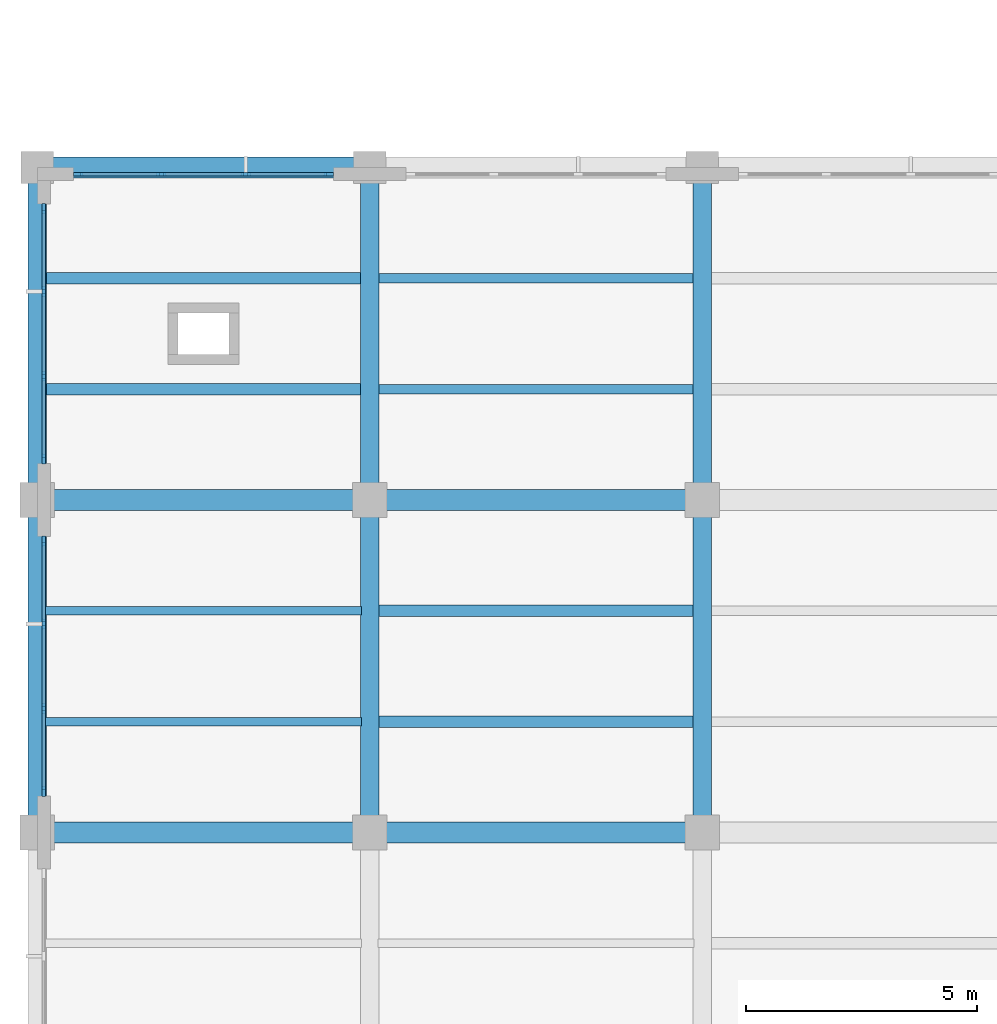
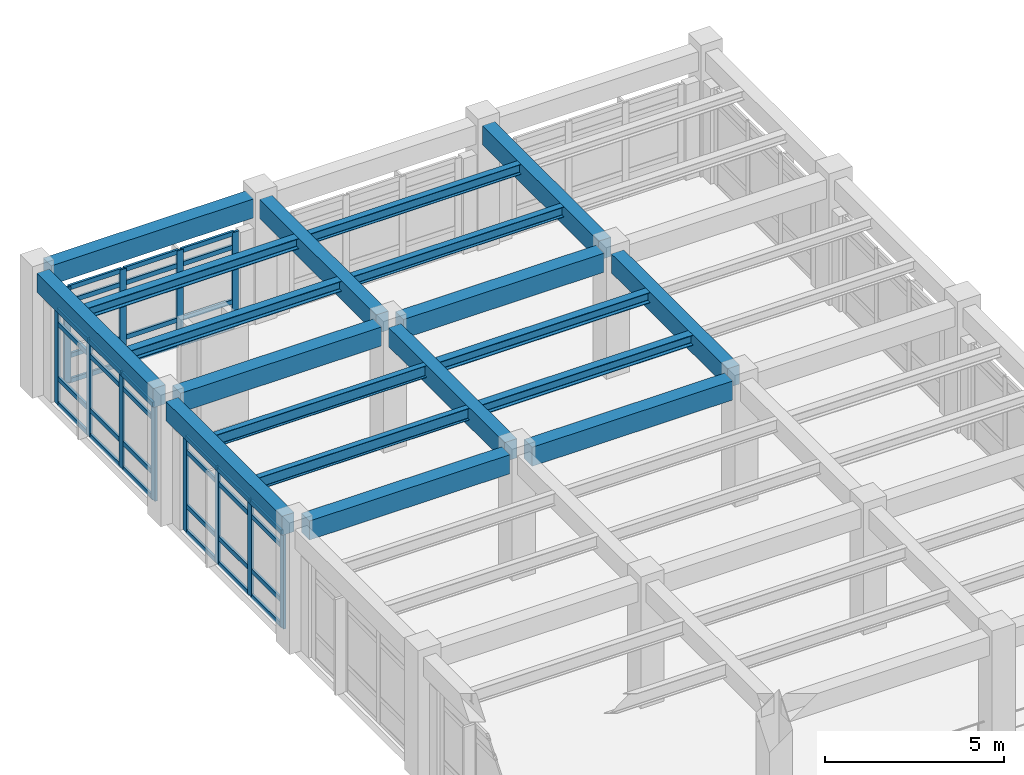
# One storey, part 19 of 64: 48 members, 19 beams, 3 elements without a shape of their own.
"""IFC4 building model written with IfcOpenShell, lengths in metres."""

import ifcopenshell
import ifcopenshell.guid

model = None  # the IFC model being written
_history = None  # IfcOwnerHistory: only IFC2X3 demands one
_inside = {}  # id of a spatial element -> (the spatial element, [elements in it])
_under = {}  # id of a project, library or spatial element -> (it, [spatial elements below it])
_declared = {}  # id of a project -> (the project, [libraries it declares])
_typed = {}  # id of a type object -> (the type object, [elements of that type])
_made_of = {}  # id of a material, layer set ... -> (it, [elements and type objects made of it])


def new_model(schema):
    """Start an empty IFC model of exactly this schema.

    Asked for "IFC4X3", IfcOpenShell would pick the latest addendum, in which some entities
    have other attributes; the version numbers below select the first issue.
    IFC2X3 requires an IfcOwnerHistory on every rooted entity: one is made here for all.
    """
    global model, _history
    if schema == "IFC4X3":
        model = ifcopenshell.file(schema_version=(4, 3, 0, 0))
    else:
        model = ifcopenshell.file(schema=schema)
    _inside.clear()
    _under.clear()
    _declared.clear()
    _typed.clear()
    _made_of.clear()
    _history = None
    if model.schema == "IFC2X3":
        org = make("IfcOrganization", Name="unknown")
        user = make(
            "IfcPersonAndOrganization",
            ThePerson=make("IfcPerson", FamilyName="unknown"),
            TheOrganization=org,
        )
        app = make(
            "IfcApplication",
            ApplicationDeveloper=org,
            Version="unknown",
            ApplicationFullName="unknown",
            ApplicationIdentifier="unknown",
        )
        _history = make(
            "IfcOwnerHistory",
            OwningUser=user,
            OwningApplication=app,
            ChangeAction="ADDED",
            CreationDate=0,
        )
    return model


def make(cls, **values):
    """One entity of the class cls with the attributes given. An attribute that is None is left unset."""
    return model.create_entity(
        cls, **{name: value for name, value in values.items() if value is not None}
    )


def rooted(cls, **values):
    """An entity with a GlobalId (a new one), such as an element, a storey or a relation."""
    return make(cls, GlobalId=ifcopenshell.guid.new(), OwnerHistory=_history, **values)


def si_unit(unit_type, name, prefix=None):
    """IfcSIUnit, for example si_unit("LENGTHUNIT", "METRE", prefix="MILLI")."""
    return make("IfcSIUnit", UnitType=unit_type, Prefix=prefix, Name=name)


def assignment(units):
    """IfcUnitAssignment: the units of a project."""
    return None if units is None else make("IfcUnitAssignment", Units=units)


def point(xyz):
    """IfcCartesianPoint."""
    return None if xyz is None else make("IfcCartesianPoint", Coordinates=xyz)


def direction(xyz):
    """IfcDirection."""
    return None if xyz is None else make("IfcDirection", DirectionRatios=xyz)


def frame(location, z_axis=None, x_axis=None):
    """IfcAxis2Placement3D, a coordinate frame: its origin and axes. An axis left out is left unset."""
    return make(
        "IfcAxis2Placement3D",
        Location=point(location),
        Axis=direction(z_axis),
        RefDirection=direction(x_axis),
    )


def frame_2d(location, x_axis=None):
    """IfcAxis2Placement2D, a coordinate frame in the plane: its origin and x axis."""
    return make(
        "IfcAxis2Placement2D", Location=point(location), RefDirection=direction(x_axis)
    )


def origin():
    """The frame at (0, 0, 0) with its axes left unset."""
    return frame((0.0, 0.0, 0.0))


def origin_2d():
    """The frame at (0, 0) in the plane with its x axis left unset."""
    return frame_2d((0.0, 0.0))


def place(relative_to, where):
    """IfcLocalPlacement: puts the frame where relative to a parent placement (None: the world)."""
    return make(
        "IfcLocalPlacement", PlacementRelTo=relative_to, RelativePlacement=where
    )


def context(
    kind, dimensions, precision=None, world=None, true_north=None, identifier=None
):
    """IfcGeometricRepresentationContext, for example the 3D "Model" context."""
    return make(
        "IfcGeometricRepresentationContext",
        ContextIdentifier=identifier,
        ContextType=kind,
        CoordinateSpaceDimension=dimensions,
        Precision=precision,
        WorldCoordinateSystem=world,
        TrueNorth=true_north,
    )


def subcontext(parent, identifier, kind, view, scale=None):
    """IfcGeometricRepresentationSubContext, for example "Body" below "Model"."""
    return make(
        "IfcGeometricRepresentationSubContext",
        ContextIdentifier=identifier,
        ContextType=kind,
        ParentContext=parent,
        TargetScale=scale,
        TargetView=view,
    )


def project(units=None, contexts=None):
    """IfcProject with its units and contexts."""
    return rooted(
        "IfcProject",
        Name="project",
        RepresentationContexts=contexts,
        UnitsInContext=assignment(units),
    )


def spatial(cls, under=None, at=None, **own):
    """A site, building, storey or space (cls), placed at a placement, below another one or the project."""
    s = rooted(cls, ObjectPlacement=at, **own)
    if under is not None:
        _under.setdefault(under.id(), (under, []))[1].append(s)
    return s


def profile(cls, at=None, kind="AREA", **sizes):
    """A parametric profile (cls). Its sizes go by their IFC names, for example OverallWidth=200.0."""
    return make(cls, ProfileType=kind, Position=at, **sizes)


def rectangle(**sizes):
    """IfcRectangleProfileDef."""
    return profile("IfcRectangleProfileDef", **sizes)


def i_section(**sizes):
    """IfcIShapeProfileDef."""
    return profile("IfcIShapeProfileDef", **sizes)


def extrude(swept, where, along, depth):
    """IfcExtrudedAreaSolid: the profile swept, set in the frame where, extruded along a direction by depth."""
    return make(
        "IfcExtrudedAreaSolid",
        SweptArea=swept,
        Position=where,
        ExtrudedDirection=direction(along),
        Depth=depth,
    )


def shape(context_of_items, identifier, shape_type, items):
    """IfcShapeRepresentation: the items that make up one representation, for example the "Body"."""
    return make(
        "IfcShapeRepresentation",
        ContextOfItems=context_of_items,
        RepresentationIdentifier=identifier,
        RepresentationType=shape_type,
        Items=items,
    )


def material(Name=None, Category=None):
    """IfcMaterial."""
    return make("IfcMaterial", Name=Name, Category=Category)


def layer(
    of_material, thickness, ventilated=None, Name=None, Category=None, Priority=None
):
    """IfcMaterialLayer: one layer of a wall or slab, of a material (None: an air gap)."""
    return make(
        "IfcMaterialLayer",
        Material=of_material,
        LayerThickness=thickness,
        IsVentilated=ventilated,
        Name=Name,
        Category=Category,
        Priority=Priority,
    )


def layer_set(layers, Name=None):
    """IfcMaterialLayerSet."""
    return make("IfcMaterialLayerSet", MaterialLayers=layers, LayerSetName=Name)


def material_profile(
    of_material, cross_section, Name=None, Category=None, Priority=None
):
    """IfcMaterialProfile: a cross section and its material."""
    return make(
        "IfcMaterialProfile",
        Name=Name,
        Material=of_material,
        Profile=cross_section,
        Priority=Priority,
        Category=Category,
    )


def profile_set(profiles, Name=None, composite=None):
    """IfcMaterialProfileSet."""
    return make(
        "IfcMaterialProfileSet",
        Name=Name,
        MaterialProfiles=profiles,
        CompositeProfile=composite,
    )


def made_of(thing, what):
    """Note that an element or type object is made of a material, layer set ...; save() writes the relation."""
    if what is not None:
        _made_of.setdefault(what.id(), (what, []))[1].append(thing)
    return thing


def type_object(cls, material=None, **own):
    """A type object (cls), such as IfcWallType, which elements share."""
    return made_of(rooted(cls, **own), material)


def element(
    cls,
    number,
    at=None,
    inside=None,
    cuts=None,
    type_object=None,
    material=None,
    context=None,
    identifier="Body",
    shape_type=None,
    held_by="IfcProductDefinitionShape",
    body=None,
    shapes=None,
    **own,
):
    """One element of the class cls, such as IfcWall. Its Tag is "e" and its number.

    at: its placement. inside: the storey or other place that contains it. cuts: it is an
    opening in that element (IfcRelVoidsElement). A single representation is given by context,
    identifier, shape_type and body (its items); several are given by shapes. held_by: the class
    of the entity that holds the representations. save() writes the other relations.
    """
    e = rooted(cls, Tag="e%d" % number, ObjectPlacement=at, **own)
    if body is not None:
        shapes = [shape(context, identifier, shape_type, body)]
    if shapes is not None:
        e.Representation = make(held_by, Representations=shapes)
    if inside is not None:
        _inside.setdefault(inside.id(), (inside, []))[1].append(e)
    if cuts is not None:
        rooted(
            "IfcRelVoidsElement", RelatingBuildingElement=cuts, RelatedOpeningElement=e
        )
    if type_object is not None:
        _typed.setdefault(type_object.id(), (type_object, []))[1].append(e)
    return made_of(e, material)


def aggregate(whole, parts):
    """IfcRelAggregates: a whole, such as a stair, and the parts it consists of."""
    return rooted("IfcRelAggregates", RelatingObject=whole, RelatedObjects=parts)


def save(model, path):
    """Write the relations noted so far, then the file.

    IfcRelAggregates (storeys below a building ...), IfcRelContainedInSpatialStructure (elements
    in a storey), IfcRelDefinesByType, IfcRelAssociatesMaterial and IfcRelDeclares: one each for
    every whole, place, type object, material and project.
    """
    for whole, parts in _under.values():
        aggregate(whole, parts)
    for where, things in _inside.values():
        rooted(
            "IfcRelContainedInSpatialStructure",
            RelatedElements=things,
            RelatingStructure=where,
        )
    for kind, things in _typed.values():
        rooted("IfcRelDefinesByType", RelatedObjects=things, RelatingType=kind)
    for what, things in _made_of.values():
        rooted("IfcRelAssociatesMaterial", RelatedObjects=things, RelatingMaterial=what)
    for by, libraries in _declared.values():
        rooted("IfcRelDeclares", RelatingContext=by, RelatedDefinitions=libraries)
    model.write(path)


model = new_model("IFC4")

# Units and contexts
model_context = context("Model", 3, precision=1e-05, world=origin(), true_north=direction((0.0, 1.0)))
body_context = subcontext(model_context, "Body", "Model", "MODEL_VIEW")
ifc_project = project(units=[si_unit("LENGTHUNIT", "METRE"), si_unit("AREAUNIT", "SQUARE_METRE"), si_unit("VOLUMEUNIT", "CUBIC_METRE"), si_unit("PLANEANGLEUNIT", "RADIAN"), si_unit("MASSUNIT", "GRAM", prefix="KILO")], contexts=[model_context])

# Site, building, storey
site_placement = place(None, origin())
site = spatial("IfcSite", under=ifc_project, at=site_placement, CompositionType="ELEMENT")
building_placement = place(site_placement, origin())
building = spatial("IfcBuilding", under=site, at=building_placement, Name="Solenvale Faculty of Natural Sciences", CompositionType="ELEMENT")
storey_placement = place(building_placement, frame((0.0, 0.0, 18.0)))
storey = spatial("IfcBuildingStorey", under=building, at=storey_placement, Name="L04", CompositionType="ELEMENT", Elevation=18.0)

# Beams
ifc_material_1 = material(Name="Concrete 40 MPa", Category="concrete")
ifc_material_profile_1 = material_profile(ifc_material_1, rectangle(XDim=0.39990234375, YDim=0.64990234375, at=origin_2d()), Name="RC-BM-400x650")
ifc_profile_set_1 = profile_set([ifc_material_profile_1], Name="Concrete 40 MPa")
beam_type_1 = type_object("IfcBeamType", Name="BM-RC-400x650", PredefinedType="BEAM", material=ifc_profile_set_1)
beam_1_placement = place(storey_placement, frame((36.0, 79.554931640625, 3.89501953125), z_axis=(0.0, 1.0, 0.0), x_axis=(-1.0, 0.0, 0.0)))
element("IfcBeam", 1, at=beam_1_placement, inside=storey, type_object=beam_type_1, Name="L04 Y-Girder X36.0 (79.2..86.4)", PredefinedType="BEAM", context=body_context, shape_type="SweptSolid", body=[
    extrude(rectangle(XDim=0.39990234375, YDim=0.64990234375, at=origin_2d()), origin(), (0.0, 0.0, 1.0), 6.489990234375),
])
beam_2_placement = place(storey_placement, frame((36.0, 86.7548828125, 3.89501953125), z_axis=(0.0, 1.0, 0.0), x_axis=(-1.0, 0.0, 0.0)))
element("IfcBeam", 2, at=beam_2_placement, inside=storey, type_object=beam_type_1, Name="L04 Y-Girder X36.0 (86.4..93.6)", PredefinedType="BEAM", context=body_context, shape_type="SweptSolid", body=[
    extrude(rectangle(XDim=0.39990234375, YDim=0.64990234375, at=origin_2d()), origin(), (0.0, 0.0, 1.0), 6.51513671875),
])
beam_3_placement = place(storey_placement, frame((43.199951171875, 79.554931640625, 3.89501953125), z_axis=(0.0, 1.0, 0.0), x_axis=(-1.0, 0.0, 0.0)))
element("IfcBeam", 3, at=beam_3_placement, inside=storey, type_object=beam_type_1, Name="L04 Y-Girder X43.2 (79.2..86.4)", PredefinedType="BEAM", context=body_context, shape_type="SweptSolid", body=[
    extrude(rectangle(XDim=0.39990234375, YDim=0.64990234375, at=origin_2d()), origin(), (0.0, 0.0, 1.0), 6.489990234375),
])
beam_4_placement = place(storey_placement, frame((43.199951171875, 86.7548828125, 3.89501953125), z_axis=(0.0, 1.0, 0.0), x_axis=(-1.0, 0.0, 0.0)))
element("IfcBeam", 4, at=beam_4_placement, inside=storey, type_object=beam_type_1, Name="L04 Y-Girder X43.2 (86.4..93.6)", PredefinedType="BEAM", context=body_context, shape_type="SweptSolid", body=[
    extrude(rectangle(XDim=0.39990234375, YDim=0.64990234375, at=origin_2d()), origin(), (0.0, 0.0, 1.0), 6.51513671875),
])
beam_5_placement = place(storey_placement, frame((50.39990234375, 79.554931640625, 3.89501953125), z_axis=(0.0, 1.0, 0.0), x_axis=(-1.0, 0.0, 0.0)))
element("IfcBeam", 5, at=beam_5_placement, inside=storey, type_object=beam_type_1, Name="L04 Y-Girder X50.4 (79.2..86.4)", PredefinedType="BEAM", context=body_context, shape_type="SweptSolid", body=[
    extrude(rectangle(XDim=0.39990234375, YDim=0.64990234375, at=origin_2d()), origin(), (0.0, 0.0, 1.0), 6.489990234375),
])
beam_6_placement = place(storey_placement, frame((50.39990234375, 86.7548828125, 3.89501953125), z_axis=(0.0, 1.0, 0.0), x_axis=(-1.0, 0.0, 0.0)))
element("IfcBeam", 6, at=beam_6_placement, inside=storey, type_object=beam_type_1, Name="L04 Y-Girder X50.4 (86.4..93.6)", PredefinedType="BEAM", context=body_context, shape_type="SweptSolid", body=[
    extrude(rectangle(XDim=0.39990234375, YDim=0.64990234375, at=origin_2d()), origin(), (0.0, 0.0, 1.0), 6.51513671875),
])
ifc_material_profile_2 = material_profile(ifc_material_1, rectangle(XDim=0.449951171875, YDim=0.64990234375, at=origin_2d()), Name="RC-BM-450x650")
ifc_profile_set_2 = profile_set([ifc_material_profile_2], Name="Concrete 40 MPa")
beam_type_2 = type_object("IfcBeamType", Name="BM-RC-450x650", PredefinedType="BEAM", material=ifc_profile_set_2)
for number, where, z_axis, x_axis, name in (
    (7, (36.35498046875, 79.199951171875, 3.89501953125), (1.0, 0.0, 0.0), (0.0, 1.0, 0.0), "L04 X-Girder Y79.2 (36.0..43.2)"),
    (8, (43.554931640625, 79.199951171875, 3.89501953125), (1.0, 0.0, 0.0), (0.0, 1.0, 0.0), "L04 X-Girder Y79.2 (43.2..50.4)"),
    (9, (36.35498046875, 86.39990234375, 3.89501953125), (1.0, 0.0, 0.0), (0.0, 1.0, 0.0), "L04 X-Girder Y86.4 (36.0..43.2)"),
    (10, (43.554931640625, 86.39990234375, 3.89501953125), (1.0, 0.0, 0.0), (0.0, 1.0, 0.0), "L04 X-Girder Y86.4 (43.2..50.4)"),
):
    element("IfcBeam", number, at=place(storey_placement, frame(where, z_axis=z_axis, x_axis=x_axis)), inside=storey, type_object=beam_type_2, Name=name, PredefinedType="BEAM", context=body_context, shape_type="SweptSolid", body=[
        extrude(rectangle(XDim=0.449951171875, YDim=0.64990234375, at=origin_2d()), origin(), (0.0, 0.0, 1.0), 6.489990234375),
    ])
beam_7_placement = place(storey_placement, frame((36.330078125, 93.60009765625, 3.89501953125), z_axis=(1.0, 0.0, 0.0), x_axis=(0.0, 1.0, 0.0)))
element("IfcBeam", 11, at=beam_7_placement, inside=storey, type_object=beam_type_2, Name="L04 X-Girder Y93.6 (36.0..43.2)", PredefinedType="BEAM", context=body_context, shape_type="SweptSolid", body=[
    extrude(rectangle(XDim=0.449951171875, YDim=0.64990234375, at=origin_2d()), origin(), (0.0, 0.0, 1.0), 6.5400390625),
])
ifc_material_2 = material(Name="Steel S355", Category="steel")
ifc_material_profile_3 = material_profile(ifc_material_2, i_section(OverallWidth=0.2548828125, OverallDepth=0.35693359375, WebThickness=0.010498046875, FlangeThickness=0.018310546875, FilletRadius=0.014892578125, at=origin_2d()), Name="W360x101")
ifc_profile_set_3 = profile_set([ifc_material_profile_3], Name="Steel S355")
beam_type_3 = type_object("IfcBeamType", Name="BM-STL-W360x101", PredefinedType="JOIST", material=ifc_profile_set_3)
for number, where, z_axis, x_axis, name in (
    (12, (36.179931640625, 88.800048828125, 4.04150390625), (1.0, 0.0, 0.0), (0.0, 1.0, 0.0), "L04 Composite Floor Joist (6,13).1"),
    (13, (36.179931640625, 91.199951171875, 4.04150390625), (1.0, 0.0, 0.0), (0.0, 1.0, 0.0), "L04 Composite Floor Joist (6,13).2"),
    (14, (43.3798828125, 81.60009765625, 4.04150390625), (1.0, 0.0, 0.0), (0.0, 1.0, 0.0), "L04 Composite Floor Joist (7,12).1"),
    (15, (43.3798828125, 84.0, 4.04150390625), (1.0, 0.0, 0.0), (0.0, 1.0, 0.0), "L04 Composite Floor Joist (7,12).2"),
):
    element("IfcBeam", number, at=place(storey_placement, frame(where, z_axis=z_axis, x_axis=x_axis)), inside=storey, type_object=beam_type_3, Name=name, PredefinedType="JOIST", context=body_context, shape_type="SweptSolid", body=[
        extrude(i_section(OverallWidth=0.2548828125, OverallDepth=0.35693359375, WebThickness=0.010498046875, FlangeThickness=0.018310546875, FilletRadius=0.014892578125, at=origin_2d()), origin(), (0.0, 0.0, 1.0), 6.840087890625),
    ])
ifc_material_profile_4 = material_profile(ifc_material_2, i_section(OverallWidth=0.2041015625, OverallDepth=0.35009765625, WebThickness=0.008544921875, FlangeThickness=0.01513671875, FilletRadius=0.014892578125, at=origin_2d()), Name="W360x72")
ifc_profile_set_4 = profile_set([ifc_material_profile_4], Name="Steel S355")
beam_type_4 = type_object("IfcBeamType", Name="BM-STL-W360x72", PredefinedType="JOIST", material=ifc_profile_set_4)
for number, where, z_axis, x_axis, name in (
    (16, (43.3798828125, 88.800048828125, 4.044921875), (1.0, 0.0, 0.0), (0.0, 1.0, 0.0), "L04 Composite Floor Joist (7,13).1"),
    (17, (43.3798828125, 91.199951171875, 4.044921875), (1.0, 0.0, 0.0), (0.0, 1.0, 0.0), "L04 Composite Floor Joist (7,13).2"),
):
    element("IfcBeam", number, at=place(storey_placement, frame(where, z_axis=z_axis, x_axis=x_axis)), inside=storey, type_object=beam_type_4, Name=name, PredefinedType="JOIST", context=body_context, shape_type="SweptSolid", body=[
        extrude(i_section(OverallWidth=0.2041015625, OverallDepth=0.35009765625, WebThickness=0.008544921875, FlangeThickness=0.01513671875, FilletRadius=0.014892578125, at=origin_2d()), origin(), (0.0, 0.0, 1.0), 6.840087890625),
    ])
ifc_material_profile_5 = material_profile(ifc_material_2, i_section(OverallWidth=0.178955078125, OverallDepth=0.409912109375, WebThickness=0.0087890625, FlangeThickness=0.014404296875, FilletRadius=0.01611328125, at=origin_2d()), Name="W410x67")
ifc_profile_set_5 = profile_set([ifc_material_profile_5], Name="Steel S355")
beam_type_5 = type_object("IfcBeamType", Name="BM-STL-W410x67", PredefinedType="JOIST", material=ifc_profile_set_5)
for number, where, z_axis, x_axis, name in (
    (18, (36.179931640625, 81.60009765625, 4.014892578125), (1.0, 0.0, 0.0), (0.0, 1.0, 0.0), "L04 Composite Floor Joist (6,12).1"),
    (19, (36.179931640625, 84.0, 4.014892578125), (1.0, 0.0, 0.0), (0.0, 1.0, 0.0), "L04 Composite Floor Joist (6,12).2"),
):
    element("IfcBeam", number, at=place(storey_placement, frame(where, z_axis=z_axis, x_axis=x_axis)), inside=storey, type_object=beam_type_5, Name=name, PredefinedType="JOIST", context=body_context, shape_type="SweptSolid", body=[
        extrude(i_section(OverallWidth=0.178955078125, OverallDepth=0.409912109375, WebThickness=0.0087890625, FlangeThickness=0.014404296875, FilletRadius=0.01611328125, at=origin_2d()), origin(), (0.0, 0.0, 1.0), 6.840087890625),
    ])

# Curtain wall, members
ifc_material_3 = material(Name="Anodised bronze aluminium", Category="aluminium")
ifc_layer = layer(ifc_material_3, 0.215087890625)
ifc_layer_set = layer_set([ifc_layer], Name="Anodised bronze aluminium")
curtain_wall_type = type_object("IfcCurtainWallType", Name="CW-ATR-UNIT", PredefinedType="USERDEFINED", material=ifc_layer_set)
curtain_wall_1_placement = place(storey_placement, origin())
curtain_wall_1 = element("IfcCurtainWall", 20, at=curtain_wall_1_placement, inside=storey, type_object=curtain_wall_type, Name="L04 Curtain Wall CW-L04-P1-E2-B3", ObjectType="UNITISED CURTAIN WALL", PredefinedType="USERDEFINED")
ifc_material_profile_6 = material_profile(ifc_material_3, rectangle(XDim=0.074951171875, YDim=0.2099609375, at=origin_2d()), Name="ALU-MUL-75x210")
ifc_profile_set_6 = profile_set([ifc_material_profile_6], Name="Anodised bronze aluminium")
member_type_1 = type_object("IfcMemberType", Name="CWM-ALU-75x210", PredefinedType="MULLION", material=ifc_profile_set_6)
member_1_placement = place(storey_placement, frame((42.3125, 93.45751953125, 0.0), z_axis=(0.0, 0.0, 1.0), x_axis=(0.0, -1.0, 0.0)))
member_1 = element("IfcMember", 21, at=member_1_placement, type_object=member_type_1, Name="CW-01 mullion 1", PredefinedType="MULLION", context=body_context, shape_type="SweptSolid", body=[
    extrude(rectangle(XDim=0.074951171875, YDim=0.2099609375, at=origin_2d()), origin(), (0.0, 0.0, 1.0), 3.260009765625),
])
member_2_placement = place(storey_placement, frame((40.5166015625, 93.45751953125, 0.0), z_axis=(0.0, 0.0, 1.0), x_axis=(0.0, -1.0, 0.0)))
member_2 = element("IfcMember", 22, at=member_2_placement, type_object=member_type_1, Name="CW-01 mullion 2", PredefinedType="MULLION", context=body_context, shape_type="SweptSolid", body=[
    extrude(rectangle(XDim=0.074951171875, YDim=0.2099609375, at=origin_2d()), origin(), (0.0, 0.0, 1.0), 3.260009765625),
])
member_3_placement = place(storey_placement, frame((38.683349609375, 93.45751953125, 0.0), z_axis=(0.0, 0.0, 1.0), x_axis=(0.0, -1.0, 0.0)))
member_3 = element("IfcMember", 23, at=member_3_placement, type_object=member_type_1, Name="CW-01 mullion 3", PredefinedType="MULLION", context=body_context, shape_type="SweptSolid", body=[
    extrude(rectangle(XDim=0.074951171875, YDim=0.2099609375, at=origin_2d()), origin(), (0.0, 0.0, 1.0), 3.260009765625),
])
member_4_placement = place(storey_placement, frame((36.887451171875, 93.45751953125, 0.0), z_axis=(0.0, 0.0, 1.0), x_axis=(0.0, -1.0, 0.0)))
member_4 = element("IfcMember", 24, at=member_4_placement, type_object=member_type_1, Name="CW-01 mullion 4", PredefinedType="MULLION", context=body_context, shape_type="SweptSolid", body=[
    extrude(rectangle(XDim=0.074951171875, YDim=0.2099609375, at=origin_2d()), origin(), (0.0, 0.0, 1.0), 3.260009765625),
])

curtain_wall_2_placement = place(storey_placement, origin())
curtain_wall_2 = element("IfcCurtainWall", 25, at=curtain_wall_2_placement, inside=storey, type_object=curtain_wall_type, Name="L04 Curtain Wall CW-L04-P1-E3-B1", ObjectType="UNITISED CURTAIN WALL", PredefinedType="USERDEFINED")
member_5_placement = place(storey_placement, frame((36.142578125, 92.71240234375, 0.0), z_axis=(0.0, 0.0, 1.0), x_axis=(1.0, 0.0, 0.0)))
member_5 = element("IfcMember", 26, at=member_5_placement, type_object=member_type_1, Name="CW-01 mullion 1", PredefinedType="MULLION", context=body_context, shape_type="SweptSolid", body=[
    extrude(rectangle(XDim=0.074951171875, YDim=0.2099609375, at=origin_2d()), origin(), (0.0, 0.0, 1.0), 3.260009765625),
])
member_6_placement = place(storey_placement, frame((36.142578125, 90.916748046875, 0.0), z_axis=(0.0, 0.0, 1.0), x_axis=(1.0, 0.0, 0.0)))
member_6 = element("IfcMember", 27, at=member_6_placement, type_object=member_type_1, Name="CW-01 mullion 2", PredefinedType="MULLION", context=body_context, shape_type="SweptSolid", body=[
    extrude(rectangle(XDim=0.074951171875, YDim=0.2099609375, at=origin_2d()), origin(), (0.0, 0.0, 1.0), 3.260009765625),
])
member_7_placement = place(storey_placement, frame((36.142578125, 89.083251953125, 0.0), z_axis=(0.0, 0.0, 1.0), x_axis=(1.0, 0.0, 0.0)))
member_7 = element("IfcMember", 28, at=member_7_placement, type_object=member_type_1, Name="CW-01 mullion 3", PredefinedType="MULLION", context=body_context, shape_type="SweptSolid", body=[
    extrude(rectangle(XDim=0.074951171875, YDim=0.2099609375, at=origin_2d()), origin(), (0.0, 0.0, 1.0), 3.260009765625),
])
member_8_placement = place(storey_placement, frame((36.142578125, 87.28759765625, 0.0), z_axis=(0.0, 0.0, 1.0), x_axis=(1.0, 0.0, 0.0)))
member_8 = element("IfcMember", 29, at=member_8_placement, type_object=member_type_1, Name="CW-01 mullion 4", PredefinedType="MULLION", context=body_context, shape_type="SweptSolid", body=[
    extrude(rectangle(XDim=0.074951171875, YDim=0.2099609375, at=origin_2d()), origin(), (0.0, 0.0, 1.0), 3.260009765625),
])

curtain_wall_3_placement = place(storey_placement, origin())
curtain_wall_3 = element("IfcCurtainWall", 30, at=curtain_wall_3_placement, inside=storey, type_object=curtain_wall_type, Name="L04 Curtain Wall CW-L04-P1-E3-B2", ObjectType="UNITISED CURTAIN WALL", PredefinedType="USERDEFINED")
member_9_placement = place(storey_placement, frame((36.142578125, 85.512451171875, 0.0), z_axis=(0.0, 0.0, 1.0), x_axis=(1.0, 0.0, 0.0)))
member_9 = element("IfcMember", 31, at=member_9_placement, type_object=member_type_1, Name="CW-01 mullion 1", PredefinedType="MULLION", context=body_context, shape_type="SweptSolid", body=[
    extrude(rectangle(XDim=0.074951171875, YDim=0.2099609375, at=origin_2d()), origin(), (0.0, 0.0, 1.0), 3.260009765625),
])
member_10_placement = place(storey_placement, frame((36.142578125, 83.716552734375, 0.0), z_axis=(0.0, 0.0, 1.0), x_axis=(1.0, 0.0, 0.0)))
member_10 = element("IfcMember", 32, at=member_10_placement, type_object=member_type_1, Name="CW-01 mullion 2", PredefinedType="MULLION", context=body_context, shape_type="SweptSolid", body=[
    extrude(rectangle(XDim=0.074951171875, YDim=0.2099609375, at=origin_2d()), origin(), (0.0, 0.0, 1.0), 3.260009765625),
])
member_11_placement = place(storey_placement, frame((36.142578125, 81.88330078125, 0.0), z_axis=(0.0, 0.0, 1.0), x_axis=(1.0, 0.0, 0.0)))
member_11 = element("IfcMember", 33, at=member_11_placement, type_object=member_type_1, Name="CW-01 mullion 3", PredefinedType="MULLION", context=body_context, shape_type="SweptSolid", body=[
    extrude(rectangle(XDim=0.074951171875, YDim=0.2099609375, at=origin_2d()), origin(), (0.0, 0.0, 1.0), 3.260009765625),
])
member_12_placement = place(storey_placement, frame((36.142578125, 80.08740234375, 0.0), z_axis=(0.0, 0.0, 1.0), x_axis=(1.0, 0.0, 0.0)))
member_12 = element("IfcMember", 34, at=member_12_placement, type_object=member_type_1, Name="CW-01 mullion 4", PredefinedType="MULLION", context=body_context, shape_type="SweptSolid", body=[
    extrude(rectangle(XDim=0.074951171875, YDim=0.2099609375, at=origin_2d()), origin(), (0.0, 0.0, 1.0), 3.260009765625),
])

# Member
ifc_material_profile_7 = material_profile(ifc_material_3, rectangle(XDim=0.074951171875, YDim=0.155029296875, at=origin_2d()), Name="ALU-TRN-75x155")
ifc_profile_set_7 = profile_set([ifc_material_profile_7], Name="Anodised bronze aluminium")
member_type_2 = type_object("IfcMemberType", Name="CWT-ALU-75x155", PredefinedType="USERDEFINED", material=ifc_profile_set_7)
member_13_placement = place(storey_placement, frame((42.27490234375, 93.45751953125, 0.03759765625), z_axis=(-1.0, 0.0, 0.0), x_axis=(0.0, -1.0, 0.0)))
member_13 = element("IfcMember", 35, at=member_13_placement, type_object=member_type_2, Name="CW-01 transom 1.1", ObjectType="TRANSOM", PredefinedType="USERDEFINED", context=body_context, shape_type="SweptSolid", body=[
    extrude(rectangle(XDim=0.074951171875, YDim=0.155029296875, at=origin_2d()), origin(), (0.0, 0.0, 1.0), 1.720703125),
])

member_14_placement = place(storey_placement, frame((42.27490234375, 93.45751953125, 0.89990234375), z_axis=(-1.0, 0.0, 0.0), x_axis=(0.0, -1.0, 0.0)))
member_14 = element("IfcMember", 36, at=member_14_placement, type_object=member_type_2, Name="CW-01 transom 1.2", ObjectType="TRANSOM", PredefinedType="USERDEFINED", context=body_context, shape_type="SweptSolid", body=[
    extrude(rectangle(XDim=0.074951171875, YDim=0.155029296875, at=origin_2d()), origin(), (0.0, 0.0, 1.0), 1.720703125),
])

member_15_placement = place(storey_placement, frame((42.27490234375, 93.45751953125, 2.760009765625), z_axis=(-1.0, 0.0, 0.0), x_axis=(0.0, -1.0, 0.0)))
member_15 = element("IfcMember", 37, at=member_15_placement, type_object=member_type_2, Name="CW-01 transom 1.3", ObjectType="TRANSOM", PredefinedType="USERDEFINED", context=body_context, shape_type="SweptSolid", body=[
    extrude(rectangle(XDim=0.074951171875, YDim=0.155029296875, at=origin_2d()), origin(), (0.0, 0.0, 1.0), 1.720703125),
])

member_16_placement = place(storey_placement, frame((42.27490234375, 93.45751953125, 3.222412109375), z_axis=(-1.0, 0.0, 0.0), x_axis=(0.0, -1.0, 0.0)))
member_16 = element("IfcMember", 38, at=member_16_placement, type_object=member_type_2, Name="CW-01 transom 1.4", ObjectType="TRANSOM", PredefinedType="USERDEFINED", context=body_context, shape_type="SweptSolid", body=[
    extrude(rectangle(XDim=0.074951171875, YDim=0.155029296875, at=origin_2d()), origin(), (0.0, 0.0, 1.0), 1.720703125),
])

member_17_placement = place(storey_placement, frame((40.479248046875, 93.45751953125, 0.03759765625), z_axis=(-1.0, 0.0, 0.0), x_axis=(0.0, -1.0, 0.0)))
member_17 = element("IfcMember", 39, at=member_17_placement, type_object=member_type_2, Name="CW-01 transom 2.1", ObjectType="TRANSOM", PredefinedType="USERDEFINED", context=body_context, shape_type="SweptSolid", body=[
    extrude(rectangle(XDim=0.074951171875, YDim=0.155029296875, at=origin_2d()), origin(), (0.0, 0.0, 1.0), 1.75830078125),
])

member_18_placement = place(storey_placement, frame((40.479248046875, 93.45751953125, 0.89990234375), z_axis=(-1.0, 0.0, 0.0), x_axis=(0.0, -1.0, 0.0)))
member_18 = element("IfcMember", 40, at=member_18_placement, type_object=member_type_2, Name="CW-01 transom 2.2", ObjectType="TRANSOM", PredefinedType="USERDEFINED", context=body_context, shape_type="SweptSolid", body=[
    extrude(rectangle(XDim=0.074951171875, YDim=0.155029296875, at=origin_2d()), origin(), (0.0, 0.0, 1.0), 1.75830078125),
])

member_19_placement = place(storey_placement, frame((40.479248046875, 93.45751953125, 2.760009765625), z_axis=(-1.0, 0.0, 0.0), x_axis=(0.0, -1.0, 0.0)))
member_19 = element("IfcMember", 41, at=member_19_placement, type_object=member_type_2, Name="CW-01 transom 2.3", ObjectType="TRANSOM", PredefinedType="USERDEFINED", context=body_context, shape_type="SweptSolid", body=[
    extrude(rectangle(XDim=0.074951171875, YDim=0.155029296875, at=origin_2d()), origin(), (0.0, 0.0, 1.0), 1.75830078125),
])

member_20_placement = place(storey_placement, frame((40.479248046875, 93.45751953125, 3.222412109375), z_axis=(-1.0, 0.0, 0.0), x_axis=(0.0, -1.0, 0.0)))
member_20 = element("IfcMember", 42, at=member_20_placement, type_object=member_type_2, Name="CW-01 transom 2.4", ObjectType="TRANSOM", PredefinedType="USERDEFINED", context=body_context, shape_type="SweptSolid", body=[
    extrude(rectangle(XDim=0.074951171875, YDim=0.155029296875, at=origin_2d()), origin(), (0.0, 0.0, 1.0), 1.75830078125),
])

member_21_placement = place(storey_placement, frame((38.645751953125, 93.45751953125, 0.03759765625), z_axis=(-1.0, 0.0, 0.0), x_axis=(0.0, -1.0, 0.0)))
member_21 = element("IfcMember", 43, at=member_21_placement, type_object=member_type_2, Name="CW-01 transom 3.1", ObjectType="TRANSOM", PredefinedType="USERDEFINED", context=body_context, shape_type="SweptSolid", body=[
    extrude(rectangle(XDim=0.074951171875, YDim=0.155029296875, at=origin_2d()), origin(), (0.0, 0.0, 1.0), 1.720703125),
])

member_22_placement = place(storey_placement, frame((38.645751953125, 93.45751953125, 0.89990234375), z_axis=(-1.0, 0.0, 0.0), x_axis=(0.0, -1.0, 0.0)))
member_22 = element("IfcMember", 44, at=member_22_placement, type_object=member_type_2, Name="CW-01 transom 3.2", ObjectType="TRANSOM", PredefinedType="USERDEFINED", context=body_context, shape_type="SweptSolid", body=[
    extrude(rectangle(XDim=0.074951171875, YDim=0.155029296875, at=origin_2d()), origin(), (0.0, 0.0, 1.0), 1.720703125),
])

member_23_placement = place(storey_placement, frame((38.645751953125, 93.45751953125, 2.760009765625), z_axis=(-1.0, 0.0, 0.0), x_axis=(0.0, -1.0, 0.0)))
member_23 = element("IfcMember", 45, at=member_23_placement, type_object=member_type_2, Name="CW-01 transom 3.3", ObjectType="TRANSOM", PredefinedType="USERDEFINED", context=body_context, shape_type="SweptSolid", body=[
    extrude(rectangle(XDim=0.074951171875, YDim=0.155029296875, at=origin_2d()), origin(), (0.0, 0.0, 1.0), 1.720703125),
])

member_24_placement = place(storey_placement, frame((38.645751953125, 93.45751953125, 3.222412109375), z_axis=(-1.0, 0.0, 0.0), x_axis=(0.0, -1.0, 0.0)))
member_24 = element("IfcMember", 46, at=member_24_placement, type_object=member_type_2, Name="CW-01 transom 3.4", ObjectType="TRANSOM", PredefinedType="USERDEFINED", context=body_context, shape_type="SweptSolid", body=[
    extrude(rectangle(XDim=0.074951171875, YDim=0.155029296875, at=origin_2d()), origin(), (0.0, 0.0, 1.0), 1.720703125),
])

aggregate(curtain_wall_1, [member_1, member_2, member_3, member_4, member_13, member_14, member_15, member_16, member_17, member_18, member_19, member_20, member_21, member_22, member_23, member_24])

member_25_placement = place(storey_placement, frame((36.142578125, 92.675048828125, 0.03759765625), z_axis=(0.0, -1.0, 0.0), x_axis=(1.0, 0.0, 0.0)))
member_25 = element("IfcMember", 47, at=member_25_placement, type_object=member_type_2, Name="CW-01 transom 1.1", ObjectType="TRANSOM", PredefinedType="USERDEFINED", context=body_context, shape_type="SweptSolid", body=[
    extrude(rectangle(XDim=0.074951171875, YDim=0.155029296875, at=origin_2d()), origin(), (0.0, 0.0, 1.0), 1.720947265625),
])

member_26_placement = place(storey_placement, frame((36.142578125, 92.675048828125, 0.89990234375), z_axis=(0.0, -1.0, 0.0), x_axis=(1.0, 0.0, 0.0)))
member_26 = element("IfcMember", 48, at=member_26_placement, type_object=member_type_2, Name="CW-01 transom 1.2", ObjectType="TRANSOM", PredefinedType="USERDEFINED", context=body_context, shape_type="SweptSolid", body=[
    extrude(rectangle(XDim=0.074951171875, YDim=0.155029296875, at=origin_2d()), origin(), (0.0, 0.0, 1.0), 1.720947265625),
])

member_27_placement = place(storey_placement, frame((36.142578125, 92.675048828125, 2.760009765625), z_axis=(0.0, -1.0, 0.0), x_axis=(1.0, 0.0, 0.0)))
member_27 = element("IfcMember", 49, at=member_27_placement, type_object=member_type_2, Name="CW-01 transom 1.3", ObjectType="TRANSOM", PredefinedType="USERDEFINED", context=body_context, shape_type="SweptSolid", body=[
    extrude(rectangle(XDim=0.074951171875, YDim=0.155029296875, at=origin_2d()), origin(), (0.0, 0.0, 1.0), 1.720947265625),
])

member_28_placement = place(storey_placement, frame((36.142578125, 92.675048828125, 3.222412109375), z_axis=(0.0, -1.0, 0.0), x_axis=(1.0, 0.0, 0.0)))
member_28 = element("IfcMember", 50, at=member_28_placement, type_object=member_type_2, Name="CW-01 transom 1.4", ObjectType="TRANSOM", PredefinedType="USERDEFINED", context=body_context, shape_type="SweptSolid", body=[
    extrude(rectangle(XDim=0.074951171875, YDim=0.155029296875, at=origin_2d()), origin(), (0.0, 0.0, 1.0), 1.720947265625),
])

member_29_placement = place(storey_placement, frame((36.142578125, 90.879150390625, 0.03759765625), z_axis=(0.0, -1.0, 0.0), x_axis=(1.0, 0.0, 0.0)))
member_29 = element("IfcMember", 51, at=member_29_placement, type_object=member_type_2, Name="CW-01 transom 2.1", ObjectType="TRANSOM", PredefinedType="USERDEFINED", context=body_context, shape_type="SweptSolid", body=[
    extrude(rectangle(XDim=0.074951171875, YDim=0.155029296875, at=origin_2d()), origin(), (0.0, 0.0, 1.0), 1.75830078125),
])

member_30_placement = place(storey_placement, frame((36.142578125, 90.879150390625, 0.89990234375), z_axis=(0.0, -1.0, 0.0), x_axis=(1.0, 0.0, 0.0)))
member_30 = element("IfcMember", 52, at=member_30_placement, type_object=member_type_2, Name="CW-01 transom 2.2", ObjectType="TRANSOM", PredefinedType="USERDEFINED", context=body_context, shape_type="SweptSolid", body=[
    extrude(rectangle(XDim=0.074951171875, YDim=0.155029296875, at=origin_2d()), origin(), (0.0, 0.0, 1.0), 1.75830078125),
])

member_31_placement = place(storey_placement, frame((36.142578125, 90.879150390625, 2.760009765625), z_axis=(0.0, -1.0, 0.0), x_axis=(1.0, 0.0, 0.0)))
member_31 = element("IfcMember", 53, at=member_31_placement, type_object=member_type_2, Name="CW-01 transom 2.3", ObjectType="TRANSOM", PredefinedType="USERDEFINED", context=body_context, shape_type="SweptSolid", body=[
    extrude(rectangle(XDim=0.074951171875, YDim=0.155029296875, at=origin_2d()), origin(), (0.0, 0.0, 1.0), 1.75830078125),
])

member_32_placement = place(storey_placement, frame((36.142578125, 90.879150390625, 3.222412109375), z_axis=(0.0, -1.0, 0.0), x_axis=(1.0, 0.0, 0.0)))
member_32 = element("IfcMember", 54, at=member_32_placement, type_object=member_type_2, Name="CW-01 transom 2.4", ObjectType="TRANSOM", PredefinedType="USERDEFINED", context=body_context, shape_type="SweptSolid", body=[
    extrude(rectangle(XDim=0.074951171875, YDim=0.155029296875, at=origin_2d()), origin(), (0.0, 0.0, 1.0), 1.75830078125),
])

member_33_placement = place(storey_placement, frame((36.142578125, 89.0458984375, 0.03759765625), z_axis=(0.0, -1.0, 0.0), x_axis=(1.0, 0.0, 0.0)))
member_33 = element("IfcMember", 55, at=member_33_placement, type_object=member_type_2, Name="CW-01 transom 3.1", ObjectType="TRANSOM", PredefinedType="USERDEFINED", context=body_context, shape_type="SweptSolid", body=[
    extrude(rectangle(XDim=0.074951171875, YDim=0.155029296875, at=origin_2d()), origin(), (0.0, 0.0, 1.0), 1.720947265625),
])

member_34_placement = place(storey_placement, frame((36.142578125, 89.0458984375, 0.89990234375), z_axis=(0.0, -1.0, 0.0), x_axis=(1.0, 0.0, 0.0)))
member_34 = element("IfcMember", 56, at=member_34_placement, type_object=member_type_2, Name="CW-01 transom 3.2", ObjectType="TRANSOM", PredefinedType="USERDEFINED", context=body_context, shape_type="SweptSolid", body=[
    extrude(rectangle(XDim=0.074951171875, YDim=0.155029296875, at=origin_2d()), origin(), (0.0, 0.0, 1.0), 1.720947265625),
])

member_35_placement = place(storey_placement, frame((36.142578125, 89.0458984375, 2.760009765625), z_axis=(0.0, -1.0, 0.0), x_axis=(1.0, 0.0, 0.0)))
member_35 = element("IfcMember", 57, at=member_35_placement, type_object=member_type_2, Name="CW-01 transom 3.3", ObjectType="TRANSOM", PredefinedType="USERDEFINED", context=body_context, shape_type="SweptSolid", body=[
    extrude(rectangle(XDim=0.074951171875, YDim=0.155029296875, at=origin_2d()), origin(), (0.0, 0.0, 1.0), 1.720947265625),
])

member_36_placement = place(storey_placement, frame((36.142578125, 89.0458984375, 3.222412109375), z_axis=(0.0, -1.0, 0.0), x_axis=(1.0, 0.0, 0.0)))
member_36 = element("IfcMember", 58, at=member_36_placement, type_object=member_type_2, Name="CW-01 transom 3.4", ObjectType="TRANSOM", PredefinedType="USERDEFINED", context=body_context, shape_type="SweptSolid", body=[
    extrude(rectangle(XDim=0.074951171875, YDim=0.155029296875, at=origin_2d()), origin(), (0.0, 0.0, 1.0), 1.720947265625),
])

aggregate(curtain_wall_2, [member_5, member_6, member_7, member_8, member_25, member_26, member_27, member_28, member_29, member_30, member_31, member_32, member_33, member_34, member_35, member_36])

member_37_placement = place(storey_placement, frame((36.142578125, 85.47509765625, 0.03759765625), z_axis=(0.0, -1.0, 0.0), x_axis=(1.0, 0.0, 0.0)))
member_37 = element("IfcMember", 59, at=member_37_placement, type_object=member_type_2, Name="CW-01 transom 1.1", ObjectType="TRANSOM", PredefinedType="USERDEFINED", context=body_context, shape_type="SweptSolid", body=[
    extrude(rectangle(XDim=0.074951171875, YDim=0.155029296875, at=origin_2d()), origin(), (0.0, 0.0, 1.0), 1.720947265625),
])

member_38_placement = place(storey_placement, frame((36.142578125, 85.47509765625, 0.89990234375), z_axis=(0.0, -1.0, 0.0), x_axis=(1.0, 0.0, 0.0)))
member_38 = element("IfcMember", 60, at=member_38_placement, type_object=member_type_2, Name="CW-01 transom 1.2", ObjectType="TRANSOM", PredefinedType="USERDEFINED", context=body_context, shape_type="SweptSolid", body=[
    extrude(rectangle(XDim=0.074951171875, YDim=0.155029296875, at=origin_2d()), origin(), (0.0, 0.0, 1.0), 1.720947265625),
])

member_39_placement = place(storey_placement, frame((36.142578125, 85.47509765625, 2.760009765625), z_axis=(0.0, -1.0, 0.0), x_axis=(1.0, 0.0, 0.0)))
member_39 = element("IfcMember", 61, at=member_39_placement, type_object=member_type_2, Name="CW-01 transom 1.3", ObjectType="TRANSOM", PredefinedType="USERDEFINED", context=body_context, shape_type="SweptSolid", body=[
    extrude(rectangle(XDim=0.074951171875, YDim=0.155029296875, at=origin_2d()), origin(), (0.0, 0.0, 1.0), 1.720947265625),
])

member_40_placement = place(storey_placement, frame((36.142578125, 85.47509765625, 3.222412109375), z_axis=(0.0, -1.0, 0.0), x_axis=(1.0, 0.0, 0.0)))
member_40 = element("IfcMember", 62, at=member_40_placement, type_object=member_type_2, Name="CW-01 transom 1.4", ObjectType="TRANSOM", PredefinedType="USERDEFINED", context=body_context, shape_type="SweptSolid", body=[
    extrude(rectangle(XDim=0.074951171875, YDim=0.155029296875, at=origin_2d()), origin(), (0.0, 0.0, 1.0), 1.720947265625),
])

member_41_placement = place(storey_placement, frame((36.142578125, 83.67919921875, 0.03759765625), z_axis=(0.0, -1.0, 0.0), x_axis=(1.0, 0.0, 0.0)))
member_41 = element("IfcMember", 63, at=member_41_placement, type_object=member_type_2, Name="CW-01 transom 2.1", ObjectType="TRANSOM", PredefinedType="USERDEFINED", context=body_context, shape_type="SweptSolid", body=[
    extrude(rectangle(XDim=0.074951171875, YDim=0.155029296875, at=origin_2d()), origin(), (0.0, 0.0, 1.0), 1.75830078125),
])

member_42_placement = place(storey_placement, frame((36.142578125, 83.67919921875, 0.89990234375), z_axis=(0.0, -1.0, 0.0), x_axis=(1.0, 0.0, 0.0)))
member_42 = element("IfcMember", 64, at=member_42_placement, type_object=member_type_2, Name="CW-01 transom 2.2", ObjectType="TRANSOM", PredefinedType="USERDEFINED", context=body_context, shape_type="SweptSolid", body=[
    extrude(rectangle(XDim=0.074951171875, YDim=0.155029296875, at=origin_2d()), origin(), (0.0, 0.0, 1.0), 1.75830078125),
])

member_43_placement = place(storey_placement, frame((36.142578125, 83.67919921875, 2.760009765625), z_axis=(0.0, -1.0, 0.0), x_axis=(1.0, 0.0, 0.0)))
member_43 = element("IfcMember", 65, at=member_43_placement, type_object=member_type_2, Name="CW-01 transom 2.3", ObjectType="TRANSOM", PredefinedType="USERDEFINED", context=body_context, shape_type="SweptSolid", body=[
    extrude(rectangle(XDim=0.074951171875, YDim=0.155029296875, at=origin_2d()), origin(), (0.0, 0.0, 1.0), 1.75830078125),
])

member_44_placement = place(storey_placement, frame((36.142578125, 83.67919921875, 3.222412109375), z_axis=(0.0, -1.0, 0.0), x_axis=(1.0, 0.0, 0.0)))
member_44 = element("IfcMember", 66, at=member_44_placement, type_object=member_type_2, Name="CW-01 transom 2.4", ObjectType="TRANSOM", PredefinedType="USERDEFINED", context=body_context, shape_type="SweptSolid", body=[
    extrude(rectangle(XDim=0.074951171875, YDim=0.155029296875, at=origin_2d()), origin(), (0.0, 0.0, 1.0), 1.75830078125),
])

member_45_placement = place(storey_placement, frame((36.142578125, 81.845947265625, 0.03759765625), z_axis=(0.0, -1.0, 0.0), x_axis=(1.0, 0.0, 0.0)))
member_45 = element("IfcMember", 67, at=member_45_placement, type_object=member_type_2, Name="CW-01 transom 3.1", ObjectType="TRANSOM", PredefinedType="USERDEFINED", context=body_context, shape_type="SweptSolid", body=[
    extrude(rectangle(XDim=0.074951171875, YDim=0.155029296875, at=origin_2d()), origin(), (0.0, 0.0, 1.0), 1.720947265625),
])

member_46_placement = place(storey_placement, frame((36.142578125, 81.845947265625, 0.89990234375), z_axis=(0.0, -1.0, 0.0), x_axis=(1.0, 0.0, 0.0)))
member_46 = element("IfcMember", 68, at=member_46_placement, type_object=member_type_2, Name="CW-01 transom 3.2", ObjectType="TRANSOM", PredefinedType="USERDEFINED", context=body_context, shape_type="SweptSolid", body=[
    extrude(rectangle(XDim=0.074951171875, YDim=0.155029296875, at=origin_2d()), origin(), (0.0, 0.0, 1.0), 1.720947265625),
])

member_47_placement = place(storey_placement, frame((36.142578125, 81.845947265625, 2.760009765625), z_axis=(0.0, -1.0, 0.0), x_axis=(1.0, 0.0, 0.0)))
member_47 = element("IfcMember", 69, at=member_47_placement, type_object=member_type_2, Name="CW-01 transom 3.3", ObjectType="TRANSOM", PredefinedType="USERDEFINED", context=body_context, shape_type="SweptSolid", body=[
    extrude(rectangle(XDim=0.074951171875, YDim=0.155029296875, at=origin_2d()), origin(), (0.0, 0.0, 1.0), 1.720947265625),
])

member_48_placement = place(storey_placement, frame((36.142578125, 81.845947265625, 3.222412109375), z_axis=(0.0, -1.0, 0.0), x_axis=(1.0, 0.0, 0.0)))
member_48 = element("IfcMember", 70, at=member_48_placement, type_object=member_type_2, Name="CW-01 transom 3.4", ObjectType="TRANSOM", PredefinedType="USERDEFINED", context=body_context, shape_type="SweptSolid", body=[
    extrude(rectangle(XDim=0.074951171875, YDim=0.155029296875, at=origin_2d()), origin(), (0.0, 0.0, 1.0), 1.720947265625),
])

aggregate(curtain_wall_3, [member_9, member_10, member_11, member_12, member_37, member_38, member_39, member_40, member_41, member_42, member_43, member_44, member_45, member_46, member_47, member_48])

save(model, "model.ifc")
